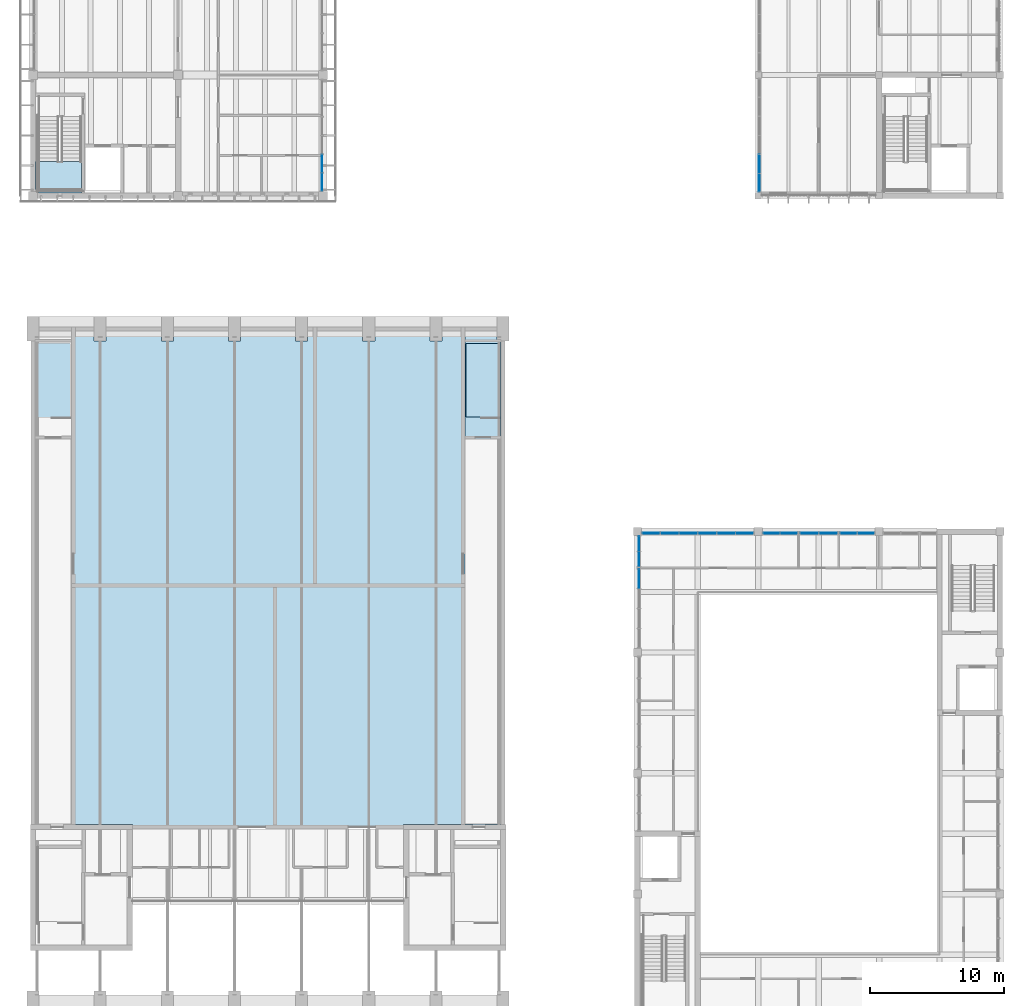
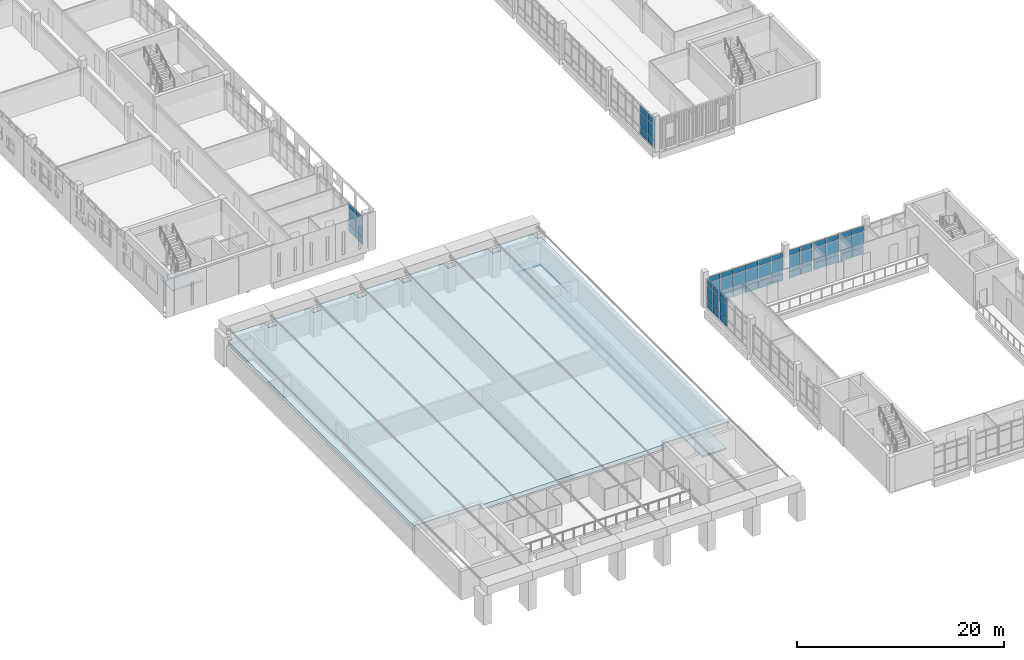
# One storey, part 36 of 92: 57 plates, 3 slabs, 9 elements without a shape of their own.
"""IFC4 building model written with IfcOpenShell, lengths in metres."""

import ifcopenshell
import ifcopenshell.guid

model = None  # the IFC model being written
_history = None  # IfcOwnerHistory: only IFC2X3 demands one
_inside = {}  # id of a spatial element -> (the spatial element, [elements in it])
_under = {}  # id of a project, library or spatial element -> (it, [spatial elements below it])
_declared = {}  # id of a project -> (the project, [libraries it declares])
_typed = {}  # id of a type object -> (the type object, [elements of that type])
_made_of = {}  # id of a material, layer set ... -> (it, [elements and type objects made of it])


def new_model(schema):
    """Start an empty IFC model of exactly this schema.

    Asked for "IFC4X3", IfcOpenShell would pick the latest addendum, in which some entities
    have other attributes; the version numbers below select the first issue.
    IFC2X3 requires an IfcOwnerHistory on every rooted entity: one is made here for all.
    """
    global model, _history
    if schema == "IFC4X3":
        model = ifcopenshell.file(schema_version=(4, 3, 0, 0))
    else:
        model = ifcopenshell.file(schema=schema)
    _inside.clear()
    _under.clear()
    _declared.clear()
    _typed.clear()
    _made_of.clear()
    _history = None
    if model.schema == "IFC2X3":
        org = make("IfcOrganization", Name="unknown")
        user = make(
            "IfcPersonAndOrganization",
            ThePerson=make("IfcPerson", FamilyName="unknown"),
            TheOrganization=org,
        )
        app = make(
            "IfcApplication",
            ApplicationDeveloper=org,
            Version="unknown",
            ApplicationFullName="unknown",
            ApplicationIdentifier="unknown",
        )
        _history = make(
            "IfcOwnerHistory",
            OwningUser=user,
            OwningApplication=app,
            ChangeAction="ADDED",
            CreationDate=0,
        )
    return model


def make(cls, **values):
    """One entity of the class cls with the attributes given. An attribute that is None is left unset."""
    return model.create_entity(
        cls, **{name: value for name, value in values.items() if value is not None}
    )


def rooted(cls, **values):
    """An entity with a GlobalId (a new one), such as an element, a storey or a relation."""
    return make(cls, GlobalId=ifcopenshell.guid.new(), OwnerHistory=_history, **values)


def si_unit(unit_type, name, prefix=None):
    """IfcSIUnit, for example si_unit("LENGTHUNIT", "METRE", prefix="MILLI")."""
    return make("IfcSIUnit", UnitType=unit_type, Prefix=prefix, Name=name)


def assignment(units):
    """IfcUnitAssignment: the units of a project."""
    return None if units is None else make("IfcUnitAssignment", Units=units)


def point(xyz):
    """IfcCartesianPoint."""
    return None if xyz is None else make("IfcCartesianPoint", Coordinates=xyz)


def direction(xyz):
    """IfcDirection."""
    return None if xyz is None else make("IfcDirection", DirectionRatios=xyz)


def frame(location, z_axis=None, x_axis=None):
    """IfcAxis2Placement3D, a coordinate frame: its origin and axes. An axis left out is left unset."""
    return make(
        "IfcAxis2Placement3D",
        Location=point(location),
        Axis=direction(z_axis),
        RefDirection=direction(x_axis),
    )


def frame_2d(location, x_axis=None):
    """IfcAxis2Placement2D, a coordinate frame in the plane: its origin and x axis."""
    return make(
        "IfcAxis2Placement2D", Location=point(location), RefDirection=direction(x_axis)
    )


def origin():
    """The frame at (0, 0, 0) with its axes left unset."""
    return frame((0.0, 0.0, 0.0))


def origin_2d():
    """The frame at (0, 0) in the plane with its x axis left unset."""
    return frame_2d((0.0, 0.0))


def place(relative_to, where):
    """IfcLocalPlacement: puts the frame where relative to a parent placement (None: the world)."""
    return make(
        "IfcLocalPlacement", PlacementRelTo=relative_to, RelativePlacement=where
    )


def context(
    kind, dimensions, precision=None, world=None, true_north=None, identifier=None
):
    """IfcGeometricRepresentationContext, for example the 3D "Model" context."""
    return make(
        "IfcGeometricRepresentationContext",
        ContextIdentifier=identifier,
        ContextType=kind,
        CoordinateSpaceDimension=dimensions,
        Precision=precision,
        WorldCoordinateSystem=world,
        TrueNorth=true_north,
    )


def subcontext(parent, identifier, kind, view, scale=None):
    """IfcGeometricRepresentationSubContext, for example "Body" below "Model"."""
    return make(
        "IfcGeometricRepresentationSubContext",
        ContextIdentifier=identifier,
        ContextType=kind,
        ParentContext=parent,
        TargetScale=scale,
        TargetView=view,
    )


def project(units=None, contexts=None):
    """IfcProject with its units and contexts."""
    return rooted(
        "IfcProject",
        Name="project",
        RepresentationContexts=contexts,
        UnitsInContext=assignment(units),
    )


def spatial(cls, under=None, at=None, **own):
    """A site, building, storey or space (cls), placed at a placement, below another one or the project."""
    s = rooted(cls, ObjectPlacement=at, **own)
    if under is not None:
        _under.setdefault(under.id(), (under, []))[1].append(s)
    return s


def polyline(points):
    """IfcPolyline through the points."""
    return make("IfcPolyline", Points=[point(p) for p in points])


def profile(cls, at=None, kind="AREA", **sizes):
    """A parametric profile (cls). Its sizes go by their IFC names, for example OverallWidth=200.0."""
    return make(cls, ProfileType=kind, Position=at, **sizes)


def rectangle(**sizes):
    """IfcRectangleProfileDef."""
    return profile("IfcRectangleProfileDef", **sizes)


def outline(outer, holes=None, kind="AREA"):
    """IfcArbitraryClosedProfileDef: a profile drawn as a closed curve; with holes, ...WithVoids."""
    if holes is None:
        return make("IfcArbitraryClosedProfileDef", ProfileType=kind, OuterCurve=outer)
    return make(
        "IfcArbitraryProfileDefWithVoids",
        ProfileType=kind,
        OuterCurve=outer,
        InnerCurves=holes,
    )


def extrude(swept, where, along, depth):
    """IfcExtrudedAreaSolid: the profile swept, set in the frame where, extruded along a direction by depth."""
    return make(
        "IfcExtrudedAreaSolid",
        SweptArea=swept,
        Position=where,
        ExtrudedDirection=direction(along),
        Depth=depth,
    )


def shape(context_of_items, identifier, shape_type, items):
    """IfcShapeRepresentation: the items that make up one representation, for example the "Body"."""
    return make(
        "IfcShapeRepresentation",
        ContextOfItems=context_of_items,
        RepresentationIdentifier=identifier,
        RepresentationType=shape_type,
        Items=items,
    )


def material(Name=None, Category=None):
    """IfcMaterial."""
    return make("IfcMaterial", Name=Name, Category=Category)


def layer(
    of_material, thickness, ventilated=None, Name=None, Category=None, Priority=None
):
    """IfcMaterialLayer: one layer of a wall or slab, of a material (None: an air gap)."""
    return make(
        "IfcMaterialLayer",
        Material=of_material,
        LayerThickness=thickness,
        IsVentilated=ventilated,
        Name=Name,
        Category=Category,
        Priority=Priority,
    )


def layer_set(layers, Name=None):
    """IfcMaterialLayerSet."""
    return make("IfcMaterialLayerSet", MaterialLayers=layers, LayerSetName=Name)


def made_of(thing, what):
    """Note that an element or type object is made of a material, layer set ...; save() writes the relation."""
    if what is not None:
        _made_of.setdefault(what.id(), (what, []))[1].append(thing)
    return thing


def type_object(cls, material=None, **own):
    """A type object (cls), such as IfcWallType, which elements share."""
    return made_of(rooted(cls, **own), material)


def element(
    cls,
    number,
    at=None,
    inside=None,
    cuts=None,
    type_object=None,
    material=None,
    context=None,
    identifier="Body",
    shape_type=None,
    held_by="IfcProductDefinitionShape",
    body=None,
    shapes=None,
    **own,
):
    """One element of the class cls, such as IfcWall. Its Tag is "e" and its number.

    at: its placement. inside: the storey or other place that contains it. cuts: it is an
    opening in that element (IfcRelVoidsElement). A single representation is given by context,
    identifier, shape_type and body (its items); several are given by shapes. held_by: the class
    of the entity that holds the representations. save() writes the other relations.
    """
    e = rooted(cls, Tag="e%d" % number, ObjectPlacement=at, **own)
    if body is not None:
        shapes = [shape(context, identifier, shape_type, body)]
    if shapes is not None:
        e.Representation = make(held_by, Representations=shapes)
    if inside is not None:
        _inside.setdefault(inside.id(), (inside, []))[1].append(e)
    if cuts is not None:
        rooted(
            "IfcRelVoidsElement", RelatingBuildingElement=cuts, RelatedOpeningElement=e
        )
    if type_object is not None:
        _typed.setdefault(type_object.id(), (type_object, []))[1].append(e)
    return made_of(e, material)


def aggregate(whole, parts):
    """IfcRelAggregates: a whole, such as a stair, and the parts it consists of."""
    return rooted("IfcRelAggregates", RelatingObject=whole, RelatedObjects=parts)


def save(model, path):
    """Write the relations noted so far, then the file.

    IfcRelAggregates (storeys below a building ...), IfcRelContainedInSpatialStructure (elements
    in a storey), IfcRelDefinesByType, IfcRelAssociatesMaterial and IfcRelDeclares: one each for
    every whole, place, type object, material and project.
    """
    for whole, parts in _under.values():
        aggregate(whole, parts)
    for where, things in _inside.values():
        rooted(
            "IfcRelContainedInSpatialStructure",
            RelatedElements=things,
            RelatingStructure=where,
        )
    for kind, things in _typed.values():
        rooted("IfcRelDefinesByType", RelatedObjects=things, RelatingType=kind)
    for what, things in _made_of.values():
        rooted("IfcRelAssociatesMaterial", RelatedObjects=things, RelatingMaterial=what)
    for by, libraries in _declared.values():
        rooted("IfcRelDeclares", RelatingContext=by, RelatedDefinitions=libraries)
    model.write(path)


model = new_model("IFC4")

# Units and contexts
model_context = context("Model", 3, precision=1e-05, world=origin(), true_north=direction((0.0, 1.0)))
body_context = subcontext(model_context, "Body", "Model", "MODEL_VIEW")
ifc_project = project(units=[si_unit("LENGTHUNIT", "METRE"), si_unit("AREAUNIT", "SQUARE_METRE"), si_unit("VOLUMEUNIT", "CUBIC_METRE"), si_unit("PLANEANGLEUNIT", "RADIAN"), si_unit("MASSUNIT", "GRAM", prefix="KILO")], contexts=[model_context])

# Site, building, storey
site_placement = place(None, origin())
site = spatial("IfcSite", under=ifc_project, at=site_placement, CompositionType="ELEMENT")
building_placement = place(site_placement, origin())
building = spatial("IfcBuilding", under=site, at=building_placement, Name="Merrow Basin Faculty of Sciences", CompositionType="ELEMENT")
storey_placement = place(building_placement, frame((0.0, 0.0, 4.5)))
storey = spatial("IfcBuildingStorey", under=building, at=storey_placement, Name="L01", CompositionType="ELEMENT", Elevation=4.5)

# Curtain wall, plates
ifc_material_1 = material(Name="Aluminium alloy 6063", Category="aluminium")
curtain_wall_type_1 = type_object("IfcCurtainWallType", Name="Atrium unitised curtain wall 240", PredefinedType="NOTDEFINED", material=ifc_material_1)
curtain_wall_1_placement = place(storey_placement, origin())
curtain_wall_1 = element("IfcCurtainWall", 1, at=curtain_wall_1_placement, inside=storey, type_object=curtain_wall_type_1, Name="W curtain wall L01 4", PredefinedType="NOTDEFINED")
ifc_material_2 = material(Name="Low-E double glazing", Category="glass")
ifc_layer_1 = layer(ifc_material_2, 0.031982421875)
ifc_layer_set_1 = layer_set([ifc_layer_1], Name="Acoustic double glazed panel 32")
plate_type_1 = type_object("IfcPlateType", Name="Acoustic double glazed panel 32", PredefinedType="CURTAIN_PANEL", material=ifc_layer_set_1)
plate_1_placement = place(storey_placement, frame((45.1201171875, 32.4912109375, 0.93017578125), z_axis=(0.0, 0.0, 1.0), x_axis=(0.0, 1.0, 0.0)))
plate_1 = element("IfcPlate", 2, at=plate_1_placement, type_object=plate_type_1, Name="CW5 panel 4.2", PredefinedType="CURTAIN_PANEL", context=body_context, shape_type="SweptSolid", body=[
    extrude(rectangle(XDim=1.3974609375, YDim=0.031982421875, at=origin_2d()), origin(), (0.0, 0.0, 1.0), 1.739990234375),
])
plate_2_placement = place(storey_placement, frame((45.1201171875, 32.4912109375, 2.72998046875), z_axis=(0.0, 0.0, 1.0), x_axis=(0.0, 1.0, 0.0)))
plate_2 = element("IfcPlate", 3, at=plate_2_placement, type_object=plate_type_1, Name="CW5 panel 4.3", PredefinedType="CURTAIN_PANEL", context=body_context, shape_type="SweptSolid", body=[
    extrude(rectangle(XDim=1.3974609375, YDim=0.031982421875, at=origin_2d()), origin(), (0.0, 0.0, 1.0), 0.610107421875),
])

curtain_wall_2_placement = place(storey_placement, origin())
curtain_wall_2 = element("IfcCurtainWall", 4, at=curtain_wall_2_placement, inside=storey, type_object=curtain_wall_type_1, Name="W curtain wall L01 5", PredefinedType="NOTDEFINED")
plate_3_placement = place(storey_placement, frame((45.1201171875, 33.952392578125, 0.93017578125), z_axis=(0.0, 0.0, 1.0), x_axis=(0.0, 1.0, 0.0)))
plate_3 = element("IfcPlate", 5, at=plate_3_placement, type_object=plate_type_1, Name="CW5 panel 1.2", PredefinedType="CURTAIN_PANEL", context=body_context, shape_type="SweptSolid", body=[
    extrude(rectangle(XDim=1.0849609375, YDim=0.031982421875, at=origin_2d()), origin(), (0.0, 0.0, 1.0), 1.739990234375),
])
plate_4_placement = place(storey_placement, frame((45.1201171875, 33.952392578125, 2.72998046875), z_axis=(0.0, 0.0, 1.0), x_axis=(0.0, 1.0, 0.0)))
plate_4 = element("IfcPlate", 6, at=plate_4_placement, type_object=plate_type_1, Name="CW5 panel 1.3", PredefinedType="CURTAIN_PANEL", context=body_context, shape_type="SweptSolid", body=[
    extrude(rectangle(XDim=1.0849609375, YDim=0.031982421875, at=origin_2d()), origin(), (0.0, 0.0, 1.0), 0.610107421875),
])
plate_5_placement = place(storey_placement, frame((45.1201171875, 35.097412109375, 0.93017578125), z_axis=(0.0, 0.0, 1.0), x_axis=(0.0, 1.0, 0.0)))
plate_5 = element("IfcPlate", 7, at=plate_5_placement, type_object=plate_type_1, Name="CW5 panel 2.2", PredefinedType="CURTAIN_PANEL", context=body_context, shape_type="SweptSolid", body=[
    extrude(rectangle(XDim=1.0849609375, YDim=0.031982421875, at=origin_2d()), origin(), (0.0, 0.0, 1.0), 1.739990234375),
])
plate_6_placement = place(storey_placement, frame((45.1201171875, 35.097412109375, 2.72998046875), z_axis=(0.0, 0.0, 1.0), x_axis=(0.0, 1.0, 0.0)))
plate_6 = element("IfcPlate", 8, at=plate_6_placement, type_object=plate_type_1, Name="CW5 panel 2.3", PredefinedType="CURTAIN_PANEL", context=body_context, shape_type="SweptSolid", body=[
    extrude(rectangle(XDim=1.0849609375, YDim=0.031982421875, at=origin_2d()), origin(), (0.0, 0.0, 1.0), 0.610107421875),
])

curtain_wall_3_placement = place(storey_placement, origin())
curtain_wall_3 = element("IfcCurtainWall", 9, at=curtain_wall_3_placement, inside=storey, type_object=curtain_wall_type_1, Name="N curtain wall L01 1", PredefinedType="NOTDEFINED")
plate_7_placement = place(storey_placement, frame((46.014892578125, 35.8798828125, 0.93017578125), z_axis=(0.0, 0.0, 1.0), x_axis=(1.0, 0.0, 0.0)))
plate_7 = element("IfcPlate", 10, at=plate_7_placement, type_object=plate_type_1, Name="CW5 panel 1.2", PredefinedType="CURTAIN_PANEL", context=body_context, shape_type="SweptSolid", body=[
    extrude(rectangle(XDim=1.31005859375, YDim=0.031982421875, at=origin_2d()), origin(), (0.0, 0.0, 1.0), 1.739990234375),
])
plate_8_placement = place(storey_placement, frame((46.014892578125, 35.8798828125, 2.72998046875), z_axis=(0.0, 0.0, 1.0), x_axis=(1.0, 0.0, 0.0)))
plate_8 = element("IfcPlate", 11, at=plate_8_placement, type_object=plate_type_1, Name="CW5 panel 1.3", PredefinedType="CURTAIN_PANEL", context=body_context, shape_type="SweptSolid", body=[
    extrude(rectangle(XDim=1.31005859375, YDim=0.031982421875, at=origin_2d()), origin(), (0.0, 0.0, 1.0), 0.610107421875),
])
plate_9_placement = place(storey_placement, frame((47.39990234375, 35.8798828125, 0.93017578125), z_axis=(0.0, 0.0, 1.0), x_axis=(1.0, 0.0, 0.0)))
plate_9 = element("IfcPlate", 12, at=plate_9_placement, type_object=plate_type_1, Name="CW5 panel 2.2", PredefinedType="CURTAIN_PANEL", context=body_context, shape_type="SweptSolid", body=[
    extrude(rectangle(XDim=1.340087890625, YDim=0.031982421875, at=origin_2d()), origin(), (0.0, 0.0, 1.0), 1.739990234375),
])
plate_10_placement = place(storey_placement, frame((47.39990234375, 35.8798828125, 2.72998046875), z_axis=(0.0, 0.0, 1.0), x_axis=(1.0, 0.0, 0.0)))
plate_10 = element("IfcPlate", 13, at=plate_10_placement, type_object=plate_type_1, Name="CW5 panel 2.3", PredefinedType="CURTAIN_PANEL", context=body_context, shape_type="SweptSolid", body=[
    extrude(rectangle(XDim=1.340087890625, YDim=0.031982421875, at=origin_2d()), origin(), (0.0, 0.0, 1.0), 0.610107421875),
])
plate_11_placement = place(storey_placement, frame((48.800048828125, 35.8798828125, 0.93017578125), z_axis=(0.0, 0.0, 1.0), x_axis=(1.0, 0.0, 0.0)))
plate_11 = element("IfcPlate", 14, at=plate_11_placement, type_object=plate_type_1, Name="CW5 panel 3.2", PredefinedType="CURTAIN_PANEL", context=body_context, shape_type="SweptSolid", body=[
    extrude(rectangle(XDim=1.340087890625, YDim=0.031982421875, at=origin_2d()), origin(), (0.0, 0.0, 1.0), 1.739990234375),
])
plate_12_placement = place(storey_placement, frame((48.800048828125, 35.8798828125, 2.72998046875), z_axis=(0.0, 0.0, 1.0), x_axis=(1.0, 0.0, 0.0)))
plate_12 = element("IfcPlate", 15, at=plate_12_placement, type_object=plate_type_1, Name="CW5 panel 3.3", PredefinedType="CURTAIN_PANEL", context=body_context, shape_type="SweptSolid", body=[
    extrude(rectangle(XDim=1.340087890625, YDim=0.031982421875, at=origin_2d()), origin(), (0.0, 0.0, 1.0), 0.610107421875),
])
plate_13_placement = place(storey_placement, frame((50.199951171875, 35.8798828125, 0.93017578125), z_axis=(0.0, 0.0, 1.0), x_axis=(1.0, 0.0, 0.0)))
plate_13 = element("IfcPlate", 16, at=plate_13_placement, type_object=plate_type_1, Name="CW5 panel 4.2", PredefinedType="CURTAIN_PANEL", context=body_context, shape_type="SweptSolid", body=[
    extrude(rectangle(XDim=1.340087890625, YDim=0.031982421875, at=origin_2d()), origin(), (0.0, 0.0, 1.0), 1.739990234375),
])
plate_14_placement = place(storey_placement, frame((50.199951171875, 35.8798828125, 2.72998046875), z_axis=(0.0, 0.0, 1.0), x_axis=(1.0, 0.0, 0.0)))
plate_14 = element("IfcPlate", 17, at=plate_14_placement, type_object=plate_type_1, Name="CW5 panel 4.3", PredefinedType="CURTAIN_PANEL", context=body_context, shape_type="SweptSolid", body=[
    extrude(rectangle(XDim=1.340087890625, YDim=0.031982421875, at=origin_2d()), origin(), (0.0, 0.0, 1.0), 0.610107421875),
])
plate_15_placement = place(storey_placement, frame((51.60009765625, 35.8798828125, 0.93017578125), z_axis=(0.0, 0.0, 1.0), x_axis=(1.0, 0.0, 0.0)))
plate_15 = element("IfcPlate", 18, at=plate_15_placement, type_object=plate_type_1, Name="CW5 panel 5.2", PredefinedType="CURTAIN_PANEL", context=body_context, shape_type="SweptSolid", body=[
    extrude(rectangle(XDim=1.340087890625, YDim=0.031982421875, at=origin_2d()), origin(), (0.0, 0.0, 1.0), 1.739990234375),
])
plate_16_placement = place(storey_placement, frame((51.60009765625, 35.8798828125, 2.72998046875), z_axis=(0.0, 0.0, 1.0), x_axis=(1.0, 0.0, 0.0)))
plate_16 = element("IfcPlate", 19, at=plate_16_placement, type_object=plate_type_1, Name="CW5 panel 5.3", PredefinedType="CURTAIN_PANEL", context=body_context, shape_type="SweptSolid", body=[
    extrude(rectangle(XDim=1.340087890625, YDim=0.031982421875, at=origin_2d()), origin(), (0.0, 0.0, 1.0), 0.610107421875),
])
plate_17_placement = place(storey_placement, frame((52.985107421875, 35.8798828125, 0.93017578125), z_axis=(0.0, 0.0, 1.0), x_axis=(1.0, 0.0, 0.0)))
plate_17 = element("IfcPlate", 20, at=plate_17_placement, type_object=plate_type_1, Name="CW5 panel 6.2", PredefinedType="CURTAIN_PANEL", context=body_context, shape_type="SweptSolid", body=[
    extrude(rectangle(XDim=1.31005859375, YDim=0.031982421875, at=origin_2d()), origin(), (0.0, 0.0, 1.0), 1.739990234375),
])
plate_18_placement = place(storey_placement, frame((52.985107421875, 35.8798828125, 2.72998046875), z_axis=(0.0, 0.0, 1.0), x_axis=(1.0, 0.0, 0.0)))
plate_18 = element("IfcPlate", 21, at=plate_18_placement, type_object=plate_type_1, Name="CW5 panel 6.3", PredefinedType="CURTAIN_PANEL", context=body_context, shape_type="SweptSolid", body=[
    extrude(rectangle(XDim=1.31005859375, YDim=0.031982421875, at=origin_2d()), origin(), (0.0, 0.0, 1.0), 0.610107421875),
])

curtain_wall_4_placement = place(storey_placement, origin())
curtain_wall_4 = element("IfcCurtainWall", 22, at=curtain_wall_4_placement, inside=storey, type_object=curtain_wall_type_1, Name="N curtain wall L01 2", PredefinedType="NOTDEFINED")
plate_19_placement = place(storey_placement, frame((54.9775390625, 35.8798828125, 0.93017578125), z_axis=(0.0, 0.0, 1.0), x_axis=(1.0, 0.0, 0.0)))
plate_19 = element("IfcPlate", 23, at=plate_19_placement, type_object=plate_type_1, Name="CW5 panel 1.2", PredefinedType="CURTAIN_PANEL", context=body_context, shape_type="SweptSolid", body=[
    extrude(rectangle(XDim=1.235107421875, YDim=0.031982421875, at=origin_2d()), origin(), (0.0, 0.0, 1.0), 1.739990234375),
])
plate_20_placement = place(storey_placement, frame((54.9775390625, 35.8798828125, 2.72998046875), z_axis=(0.0, 0.0, 1.0), x_axis=(1.0, 0.0, 0.0)))
plate_20 = element("IfcPlate", 24, at=plate_20_placement, type_object=plate_type_1, Name="CW5 panel 1.3", PredefinedType="CURTAIN_PANEL", context=body_context, shape_type="SweptSolid", body=[
    extrude(rectangle(XDim=1.235107421875, YDim=0.031982421875, at=origin_2d()), origin(), (0.0, 0.0, 1.0), 0.610107421875),
])
plate_21_placement = place(storey_placement, frame((56.2724609375, 35.8798828125, 0.93017578125), z_axis=(0.0, 0.0, 1.0), x_axis=(1.0, 0.0, 0.0)))
plate_21 = element("IfcPlate", 25, at=plate_21_placement, type_object=plate_type_1, Name="CW5 panel 2.2", PredefinedType="CURTAIN_PANEL", context=body_context, shape_type="SweptSolid", body=[
    extrude(rectangle(XDim=1.235107421875, YDim=0.031982421875, at=origin_2d()), origin(), (0.0, 0.0, 1.0), 1.739990234375),
])
plate_22_placement = place(storey_placement, frame((56.2724609375, 35.8798828125, 2.72998046875), z_axis=(0.0, 0.0, 1.0), x_axis=(1.0, 0.0, 0.0)))
plate_22 = element("IfcPlate", 26, at=plate_22_placement, type_object=plate_type_1, Name="CW5 panel 2.3", PredefinedType="CURTAIN_PANEL", context=body_context, shape_type="SweptSolid", body=[
    extrude(rectangle(XDim=1.235107421875, YDim=0.031982421875, at=origin_2d()), origin(), (0.0, 0.0, 1.0), 0.610107421875),
])

curtain_wall_5_placement = place(storey_placement, origin())
curtain_wall_5 = element("IfcCurtainWall", 27, at=curtain_wall_5_placement, inside=storey, type_object=curtain_wall_type_1, Name="N curtain wall L01 3", PredefinedType="NOTDEFINED")
plate_23_placement = place(storey_placement, frame((57.7900390625, 35.8798828125, 0.93017578125), z_axis=(0.0, 0.0, 1.0), x_axis=(1.0, 0.0, 0.0)))
plate_23 = element("IfcPlate", 28, at=plate_23_placement, type_object=plate_type_1, Name="CW5 panel 1.2", PredefinedType="CURTAIN_PANEL", context=body_context, shape_type="SweptSolid", body=[
    extrude(rectangle(XDim=1.360107421875, YDim=0.031982421875, at=origin_2d()), origin(), (0.0, 0.0, 1.0), 1.739990234375),
])
plate_24_placement = place(storey_placement, frame((57.7900390625, 35.8798828125, 2.72998046875), z_axis=(0.0, 0.0, 1.0), x_axis=(1.0, 0.0, 0.0)))
plate_24 = element("IfcPlate", 29, at=plate_24_placement, type_object=plate_type_1, Name="CW5 panel 1.3", PredefinedType="CURTAIN_PANEL", context=body_context, shape_type="SweptSolid", body=[
    extrude(rectangle(XDim=1.360107421875, YDim=0.031982421875, at=origin_2d()), origin(), (0.0, 0.0, 1.0), 0.610107421875),
])
plate_25_placement = place(storey_placement, frame((59.2099609375, 35.8798828125, 0.93017578125), z_axis=(0.0, 0.0, 1.0), x_axis=(1.0, 0.0, 0.0)))
plate_25 = element("IfcPlate", 30, at=plate_25_placement, type_object=plate_type_1, Name="CW5 panel 2.2", PredefinedType="CURTAIN_PANEL", context=body_context, shape_type="SweptSolid", body=[
    extrude(rectangle(XDim=1.360107421875, YDim=0.031982421875, at=origin_2d()), origin(), (0.0, 0.0, 1.0), 1.739990234375),
])
plate_26_placement = place(storey_placement, frame((59.2099609375, 35.8798828125, 2.72998046875), z_axis=(0.0, 0.0, 1.0), x_axis=(1.0, 0.0, 0.0)))
plate_26 = element("IfcPlate", 31, at=plate_26_placement, type_object=plate_type_1, Name="CW5 panel 2.3", PredefinedType="CURTAIN_PANEL", context=body_context, shape_type="SweptSolid", body=[
    extrude(rectangle(XDim=1.360107421875, YDim=0.031982421875, at=origin_2d()), origin(), (0.0, 0.0, 1.0), 0.610107421875),
])

curtain_wall_6_placement = place(storey_placement, origin())
curtain_wall_6 = element("IfcCurtainWall", 32, at=curtain_wall_6_placement, inside=storey, type_object=curtain_wall_type_1, Name="N curtain wall L01 4", PredefinedType="NOTDEFINED")
plate_27_placement = place(storey_placement, frame((60.7275390625, 35.8798828125, 0.93017578125), z_axis=(0.0, 0.0, 1.0), x_axis=(1.0, 0.0, 0.0)))
plate_27 = element("IfcPlate", 33, at=plate_27_placement, type_object=plate_type_1, Name="CW5 panel 1.2", PredefinedType="CURTAIN_PANEL", context=body_context, shape_type="SweptSolid", body=[
    extrude(rectangle(XDim=1.235107421875, YDim=0.031982421875, at=origin_2d()), origin(), (0.0, 0.0, 1.0), 1.739990234375),
])
plate_28_placement = place(storey_placement, frame((60.7275390625, 35.8798828125, 2.72998046875), z_axis=(0.0, 0.0, 1.0), x_axis=(1.0, 0.0, 0.0)))
plate_28 = element("IfcPlate", 34, at=plate_28_placement, type_object=plate_type_1, Name="CW5 panel 1.3", PredefinedType="CURTAIN_PANEL", context=body_context, shape_type="SweptSolid", body=[
    extrude(rectangle(XDim=1.235107421875, YDim=0.031982421875, at=origin_2d()), origin(), (0.0, 0.0, 1.0), 0.610107421875),
])
plate_29_placement = place(storey_placement, frame((62.0224609375, 35.8798828125, 0.93017578125), z_axis=(0.0, 0.0, 1.0), x_axis=(1.0, 0.0, 0.0)))
plate_29 = element("IfcPlate", 35, at=plate_29_placement, type_object=plate_type_1, Name="CW5 panel 2.2", PredefinedType="CURTAIN_PANEL", context=body_context, shape_type="SweptSolid", body=[
    extrude(rectangle(XDim=1.235107421875, YDim=0.031982421875, at=origin_2d()), origin(), (0.0, 0.0, 1.0), 1.739990234375),
])
plate_30_placement = place(storey_placement, frame((62.0224609375, 35.8798828125, 2.72998046875), z_axis=(0.0, 0.0, 1.0), x_axis=(1.0, 0.0, 0.0)))
plate_30 = element("IfcPlate", 36, at=plate_30_placement, type_object=plate_type_1, Name="CW5 panel 2.3", PredefinedType="CURTAIN_PANEL", context=body_context, shape_type="SweptSolid", body=[
    extrude(rectangle(XDim=1.235107421875, YDim=0.031982421875, at=origin_2d()), origin(), (0.0, 0.0, 1.0), 0.610107421875),
])

# Slab
ifc_material_3 = material(Name="Concrete C40/50", Category="concrete")
ifc_layer_2 = layer(ifc_material_3, 0.179931640625)
ifc_layer_set_2 = layer_set([ifc_layer_2], Name="Gallery floor slab 180 Concrete C40/50")
slab_type_1 = type_object("IfcSlabType", Name="Gallery floor slab 180 Concrete C40/50", PredefinedType="FLOOR", material=ifc_layer_set_2)
slab_1_placement = place(storey_placement, frame((0.0, 0.0, -0.179931640625)))
element("IfcSlab", 37, at=slab_1_placement, inside=storey, type_object=slab_type_1, Name="SL4 floor L01 002", PredefinedType="FLOOR", context=body_context, shape_type="SweptSolid", body=[
    extrude(outline(polyline([(32.14990234375, 50.949951171875), (34.550048828125, 50.949951171875), (34.550048828125, 50.199951171875), (34.85009765625, 50.199951171875), (34.85009765625, 14.199951171875), (32.14990234375, 14.199951171875), (32.14990234375, 31.85009765625), (32.14990234375, 32.14990234375), (32.14990234375, 50.949951171875)]), holes=[polyline([(34.75, 44.550048828125), (34.75, 50.0), (32.25, 50.0), (32.25, 44.550048828125), (34.75, 44.550048828125)])]), origin(), (0.0, 0.0, 1.0), 0.179931640625),
])

# Curtain wall, plates
ifc_material_4 = material(Name="Aluminium alloy 6063", Category="aluminium")
curtain_wall_type_2 = type_object("IfcCurtainWallType", Name="Bar unitised curtain wall 180", PredefinedType="NOTDEFINED", material=ifc_material_4)
curtain_wall_7_placement = place(storey_placement, origin())
curtain_wall_7 = element("IfcCurtainWall", 38, at=curtain_wall_7_placement, inside=storey, type_object=curtain_wall_type_2, Name="East curtain wall L01 1", PredefinedType="NOTDEFINED")
ifc_material_5 = material(Name="Insulated aluminium spandrel panel", Category="aluminium")
ifc_layer_3 = layer(ifc_material_5, 0.052001953125)
ifc_layer_set_3 = layer_set([ifc_layer_3], Name="Insulated spandrel panel 52")
plate_type_2 = type_object("IfcPlateType", Name="Insulated spandrel panel 52", PredefinedType="CURTAIN_PANEL", material=ifc_layer_set_3)
plate_31_placement = place(storey_placement, frame((21.510009765625, 62.035888671875, 0.06005859375), z_axis=(0.0, 0.0, 1.0), x_axis=(0.0, 1.0, 0.0)))
plate_31 = element("IfcPlate", 39, at=plate_31_placement, type_object=plate_type_2, Name="CW1 panel 1.1", PredefinedType="CURTAIN_PANEL", context=body_context, shape_type="SweptSolid", body=[
    extrude(rectangle(XDim=1.3017578125, YDim=0.052001953125, at=origin_2d()), origin(), (0.0, 0.0, 1.0), 0.81005859375),
])
plate_32_placement = place(storey_placement, frame((21.510009765625, 63.41259765625, 0.06005859375), z_axis=(0.0, 0.0, 1.0), x_axis=(0.0, 1.0, 0.0)))
plate_32 = element("IfcPlate", 40, at=plate_32_placement, type_object=plate_type_2, Name="CW1 panel 2.1", PredefinedType="CURTAIN_PANEL", context=body_context, shape_type="SweptSolid", body=[
    extrude(rectangle(XDim=1.331787109375, YDim=0.052001953125, at=origin_2d()), origin(), (0.0, 0.0, 1.0), 0.81005859375),
])

# Plate
plate_33_placement = place(storey_placement, frame((45.1201171875, 32.4912109375, 0.06005859375), z_axis=(0.0, 0.0, 1.0), x_axis=(0.0, 1.0, 0.0)))
plate_33 = element("IfcPlate", 41, at=plate_33_placement, type_object=plate_type_2, Name="CW5 panel 4.1", PredefinedType="CURTAIN_PANEL", context=body_context, shape_type="SweptSolid", body=[
    extrude(rectangle(XDim=1.3974609375, YDim=0.052001953125, at=origin_2d()), origin(), (0.0, 0.0, 1.0), 0.81005859375),
])

aggregate(curtain_wall_1, [plate_33, plate_1, plate_2])

plate_34_placement = place(storey_placement, frame((45.1201171875, 33.952392578125, 0.06005859375), z_axis=(0.0, 0.0, 1.0), x_axis=(0.0, 1.0, 0.0)))
plate_34 = element("IfcPlate", 42, at=plate_34_placement, type_object=plate_type_2, Name="CW5 panel 1.1", PredefinedType="CURTAIN_PANEL", context=body_context, shape_type="SweptSolid", body=[
    extrude(rectangle(XDim=1.0849609375, YDim=0.052001953125, at=origin_2d()), origin(), (0.0, 0.0, 1.0), 0.81005859375),
])

plate_35_placement = place(storey_placement, frame((45.1201171875, 35.097412109375, 0.06005859375), z_axis=(0.0, 0.0, 1.0), x_axis=(0.0, 1.0, 0.0)))
plate_35 = element("IfcPlate", 43, at=plate_35_placement, type_object=plate_type_2, Name="CW5 panel 2.1", PredefinedType="CURTAIN_PANEL", context=body_context, shape_type="SweptSolid", body=[
    extrude(rectangle(XDim=1.0849609375, YDim=0.052001953125, at=origin_2d()), origin(), (0.0, 0.0, 1.0), 0.81005859375),
])

aggregate(curtain_wall_2, [plate_34, plate_3, plate_4, plate_35, plate_5, plate_6])

plate_36_placement = place(storey_placement, frame((46.014892578125, 35.8798828125, 0.06005859375), z_axis=(0.0, 0.0, 1.0), x_axis=(1.0, 0.0, 0.0)))
plate_36 = element("IfcPlate", 44, at=plate_36_placement, type_object=plate_type_2, Name="CW5 panel 1.1", PredefinedType="CURTAIN_PANEL", context=body_context, shape_type="SweptSolid", body=[
    extrude(rectangle(XDim=1.31005859375, YDim=0.052001953125, at=origin_2d()), origin(), (0.0, 0.0, 1.0), 0.81005859375),
])

plate_37_placement = place(storey_placement, frame((47.39990234375, 35.8798828125, 0.06005859375), z_axis=(0.0, 0.0, 1.0), x_axis=(1.0, 0.0, 0.0)))
plate_37 = element("IfcPlate", 45, at=plate_37_placement, type_object=plate_type_2, Name="CW5 panel 2.1", PredefinedType="CURTAIN_PANEL", context=body_context, shape_type="SweptSolid", body=[
    extrude(rectangle(XDim=1.340087890625, YDim=0.052001953125, at=origin_2d()), origin(), (0.0, 0.0, 1.0), 0.81005859375),
])

plate_38_placement = place(storey_placement, frame((48.800048828125, 35.8798828125, 0.06005859375), z_axis=(0.0, 0.0, 1.0), x_axis=(1.0, 0.0, 0.0)))
plate_38 = element("IfcPlate", 46, at=plate_38_placement, type_object=plate_type_2, Name="CW5 panel 3.1", PredefinedType="CURTAIN_PANEL", context=body_context, shape_type="SweptSolid", body=[
    extrude(rectangle(XDim=1.340087890625, YDim=0.052001953125, at=origin_2d()), origin(), (0.0, 0.0, 1.0), 0.81005859375),
])

plate_39_placement = place(storey_placement, frame((50.199951171875, 35.8798828125, 0.06005859375), z_axis=(0.0, 0.0, 1.0), x_axis=(1.0, 0.0, 0.0)))
plate_39 = element("IfcPlate", 47, at=plate_39_placement, type_object=plate_type_2, Name="CW5 panel 4.1", PredefinedType="CURTAIN_PANEL", context=body_context, shape_type="SweptSolid", body=[
    extrude(rectangle(XDim=1.340087890625, YDim=0.052001953125, at=origin_2d()), origin(), (0.0, 0.0, 1.0), 0.81005859375),
])

plate_40_placement = place(storey_placement, frame((51.60009765625, 35.8798828125, 0.06005859375), z_axis=(0.0, 0.0, 1.0), x_axis=(1.0, 0.0, 0.0)))
plate_40 = element("IfcPlate", 48, at=plate_40_placement, type_object=plate_type_2, Name="CW5 panel 5.1", PredefinedType="CURTAIN_PANEL", context=body_context, shape_type="SweptSolid", body=[
    extrude(rectangle(XDim=1.340087890625, YDim=0.052001953125, at=origin_2d()), origin(), (0.0, 0.0, 1.0), 0.81005859375),
])

plate_41_placement = place(storey_placement, frame((52.985107421875, 35.8798828125, 0.06005859375), z_axis=(0.0, 0.0, 1.0), x_axis=(1.0, 0.0, 0.0)))
plate_41 = element("IfcPlate", 49, at=plate_41_placement, type_object=plate_type_2, Name="CW5 panel 6.1", PredefinedType="CURTAIN_PANEL", context=body_context, shape_type="SweptSolid", body=[
    extrude(rectangle(XDim=1.31005859375, YDim=0.052001953125, at=origin_2d()), origin(), (0.0, 0.0, 1.0), 0.81005859375),
])

aggregate(curtain_wall_3, [plate_36, plate_7, plate_8, plate_37, plate_9, plate_10, plate_38, plate_11, plate_12, plate_39, plate_13, plate_14, plate_40, plate_15, plate_16, plate_41, plate_17, plate_18])

plate_42_placement = place(storey_placement, frame((54.9775390625, 35.8798828125, 0.06005859375), z_axis=(0.0, 0.0, 1.0), x_axis=(1.0, 0.0, 0.0)))
plate_42 = element("IfcPlate", 50, at=plate_42_placement, type_object=plate_type_2, Name="CW5 panel 1.1", PredefinedType="CURTAIN_PANEL", context=body_context, shape_type="SweptSolid", body=[
    extrude(rectangle(XDim=1.235107421875, YDim=0.052001953125, at=origin_2d()), origin(), (0.0, 0.0, 1.0), 0.81005859375),
])

plate_43_placement = place(storey_placement, frame((56.2724609375, 35.8798828125, 0.06005859375), z_axis=(0.0, 0.0, 1.0), x_axis=(1.0, 0.0, 0.0)))
plate_43 = element("IfcPlate", 51, at=plate_43_placement, type_object=plate_type_2, Name="CW5 panel 2.1", PredefinedType="CURTAIN_PANEL", context=body_context, shape_type="SweptSolid", body=[
    extrude(rectangle(XDim=1.235107421875, YDim=0.052001953125, at=origin_2d()), origin(), (0.0, 0.0, 1.0), 0.81005859375),
])

aggregate(curtain_wall_4, [plate_42, plate_19, plate_20, plate_43, plate_21, plate_22])

plate_44_placement = place(storey_placement, frame((57.7900390625, 35.8798828125, 0.06005859375), z_axis=(0.0, 0.0, 1.0), x_axis=(1.0, 0.0, 0.0)))
plate_44 = element("IfcPlate", 52, at=plate_44_placement, type_object=plate_type_2, Name="CW5 panel 1.1", PredefinedType="CURTAIN_PANEL", context=body_context, shape_type="SweptSolid", body=[
    extrude(rectangle(XDim=1.360107421875, YDim=0.052001953125, at=origin_2d()), origin(), (0.0, 0.0, 1.0), 0.81005859375),
])

plate_45_placement = place(storey_placement, frame((59.2099609375, 35.8798828125, 0.06005859375), z_axis=(0.0, 0.0, 1.0), x_axis=(1.0, 0.0, 0.0)))
plate_45 = element("IfcPlate", 53, at=plate_45_placement, type_object=plate_type_2, Name="CW5 panel 2.1", PredefinedType="CURTAIN_PANEL", context=body_context, shape_type="SweptSolid", body=[
    extrude(rectangle(XDim=1.360107421875, YDim=0.052001953125, at=origin_2d()), origin(), (0.0, 0.0, 1.0), 0.81005859375),
])

aggregate(curtain_wall_5, [plate_44, plate_23, plate_24, plate_45, plate_25, plate_26])

plate_46_placement = place(storey_placement, frame((60.7275390625, 35.8798828125, 0.06005859375), z_axis=(0.0, 0.0, 1.0), x_axis=(1.0, 0.0, 0.0)))
plate_46 = element("IfcPlate", 54, at=plate_46_placement, type_object=plate_type_2, Name="CW5 panel 1.1", PredefinedType="CURTAIN_PANEL", context=body_context, shape_type="SweptSolid", body=[
    extrude(rectangle(XDim=1.235107421875, YDim=0.052001953125, at=origin_2d()), origin(), (0.0, 0.0, 1.0), 0.81005859375),
])

plate_47_placement = place(storey_placement, frame((62.0224609375, 35.8798828125, 0.06005859375), z_axis=(0.0, 0.0, 1.0), x_axis=(1.0, 0.0, 0.0)))
plate_47 = element("IfcPlate", 55, at=plate_47_placement, type_object=plate_type_2, Name="CW5 panel 2.1", PredefinedType="CURTAIN_PANEL", context=body_context, shape_type="SweptSolid", body=[
    extrude(rectangle(XDim=1.235107421875, YDim=0.052001953125, at=origin_2d()), origin(), (0.0, 0.0, 1.0), 0.81005859375),
])

aggregate(curtain_wall_6, [plate_46, plate_27, plate_28, plate_47, plate_29, plate_30])

# Curtain wall, plates
ifc_material_6 = material(Name="Aluminium alloy 6063", Category="aluminium")
curtain_wall_type_3 = type_object("IfcCurtainWallType", Name="Court curtain wall 140", PredefinedType="NOTDEFINED", material=ifc_material_6)
curtain_wall_8_placement = place(storey_placement, origin())
curtain_wall_8 = element("IfcCurtainWall", 56, at=curtain_wall_8_placement, inside=storey, type_object=curtain_wall_type_3, Name="Court curtain wall L01 1", PredefinedType="NOTDEFINED")
plate_48_placement = place(storey_placement, frame((54.070068359375, 61.973388671875, 0.06005859375), z_axis=(0.0, 0.0, 1.0), x_axis=(0.0, 1.0, 0.0)))
plate_48 = element("IfcPlate", 57, at=plate_48_placement, type_object=plate_type_2, Name="CW8 panel 1.1", PredefinedType="CURTAIN_PANEL", context=body_context, shape_type="SweptSolid", body=[
    extrude(rectangle(XDim=1.32666015625, YDim=0.052001953125, at=origin_2d()), origin(), (0.0, 0.0, 1.0), 0.81005859375),
])
plate_49_placement = place(storey_placement, frame((54.070068359375, 63.375, 0.06005859375), z_axis=(0.0, 0.0, 1.0), x_axis=(0.0, 1.0, 0.0)))
plate_49 = element("IfcPlate", 58, at=plate_49_placement, type_object=plate_type_2, Name="CW8 panel 2.1", PredefinedType="CURTAIN_PANEL", context=body_context, shape_type="SweptSolid", body=[
    extrude(rectangle(XDim=1.356689453125, YDim=0.052001953125, at=origin_2d()), origin(), (0.0, 0.0, 1.0), 0.81005859375),
])

# Plate
ifc_material_7 = material(Name="Low-E double glazing", Category="glass")
ifc_layer_4 = layer(ifc_material_7, 0.028076171875)
ifc_layer_set_4 = layer_set([ifc_layer_4], Name="Low-E double glazed panel 28")
plate_type_3 = type_object("IfcPlateType", Name="Low-E double glazed panel 28", PredefinedType="CURTAIN_PANEL", material=ifc_layer_set_4)
plate_50_placement = place(storey_placement, frame((21.510009765625, 62.035888671875, 0.93017578125), z_axis=(0.0, 0.0, 1.0), x_axis=(0.0, 1.0, 0.0)))
plate_50 = element("IfcPlate", 59, at=plate_50_placement, type_object=plate_type_3, Name="CW1 panel 1.2", PredefinedType="CURTAIN_PANEL", context=body_context, shape_type="SweptSolid", body=[
    extrude(rectangle(XDim=1.3017578125, YDim=0.028076171875, at=origin_2d()), origin(), (0.0, 0.0, 1.0), 1.739990234375),
])

plate_51_placement = place(storey_placement, frame((21.510009765625, 62.035888671875, 2.72998046875), z_axis=(0.0, 0.0, 1.0), x_axis=(0.0, 1.0, 0.0)))
plate_51 = element("IfcPlate", 60, at=plate_51_placement, type_object=plate_type_3, Name="CW1 panel 1.3", PredefinedType="CURTAIN_PANEL", context=body_context, shape_type="SweptSolid", body=[
    extrude(rectangle(XDim=1.3017578125, YDim=0.028076171875, at=origin_2d()), origin(), (0.0, 0.0, 1.0), 0.610107421875),
])

plate_52_placement = place(storey_placement, frame((21.510009765625, 63.41259765625, 0.93017578125), z_axis=(0.0, 0.0, 1.0), x_axis=(0.0, 1.0, 0.0)))
plate_52 = element("IfcPlate", 61, at=plate_52_placement, type_object=plate_type_3, Name="CW1 panel 2.2", PredefinedType="CURTAIN_PANEL", context=body_context, shape_type="SweptSolid", body=[
    extrude(rectangle(XDim=1.331787109375, YDim=0.028076171875, at=origin_2d()), origin(), (0.0, 0.0, 1.0), 1.739990234375),
])

plate_53_placement = place(storey_placement, frame((21.510009765625, 63.41259765625, 2.72998046875), z_axis=(0.0, 0.0, 1.0), x_axis=(0.0, 1.0, 0.0)))
plate_53 = element("IfcPlate", 62, at=plate_53_placement, type_object=plate_type_3, Name="CW1 panel 2.3", PredefinedType="CURTAIN_PANEL", context=body_context, shape_type="SweptSolid", body=[
    extrude(rectangle(XDim=1.331787109375, YDim=0.028076171875, at=origin_2d()), origin(), (0.0, 0.0, 1.0), 0.610107421875),
])

aggregate(curtain_wall_7, [plate_31, plate_50, plate_51, plate_32, plate_52, plate_53])

plate_54_placement = place(storey_placement, frame((54.070068359375, 61.973388671875, 0.93017578125), z_axis=(0.0, 0.0, 1.0), x_axis=(0.0, 1.0, 0.0)))
plate_54 = element("IfcPlate", 63, at=plate_54_placement, type_object=plate_type_3, Name="CW8 panel 1.2", PredefinedType="CURTAIN_PANEL", context=body_context, shape_type="SweptSolid", body=[
    extrude(rectangle(XDim=1.32666015625, YDim=0.028076171875, at=origin_2d()), origin(), (0.0, 0.0, 1.0), 1.739990234375),
])

plate_55_placement = place(storey_placement, frame((54.070068359375, 61.973388671875, 2.72998046875), z_axis=(0.0, 0.0, 1.0), x_axis=(0.0, 1.0, 0.0)))
plate_55 = element("IfcPlate", 64, at=plate_55_placement, type_object=plate_type_3, Name="CW8 panel 1.3", PredefinedType="CURTAIN_PANEL", context=body_context, shape_type="SweptSolid", body=[
    extrude(rectangle(XDim=1.32666015625, YDim=0.028076171875, at=origin_2d()), origin(), (0.0, 0.0, 1.0), 0.760009765625),
])

plate_56_placement = place(storey_placement, frame((54.070068359375, 63.375, 0.93017578125), z_axis=(0.0, 0.0, 1.0), x_axis=(0.0, 1.0, 0.0)))
plate_56 = element("IfcPlate", 65, at=plate_56_placement, type_object=plate_type_3, Name="CW8 panel 2.2", PredefinedType="CURTAIN_PANEL", context=body_context, shape_type="SweptSolid", body=[
    extrude(rectangle(XDim=1.356689453125, YDim=0.028076171875, at=origin_2d()), origin(), (0.0, 0.0, 1.0), 1.739990234375),
])

plate_57_placement = place(storey_placement, frame((54.070068359375, 63.375, 2.72998046875), z_axis=(0.0, 0.0, 1.0), x_axis=(0.0, 1.0, 0.0)))
plate_57 = element("IfcPlate", 66, at=plate_57_placement, type_object=plate_type_3, Name="CW8 panel 2.3", PredefinedType="CURTAIN_PANEL", context=body_context, shape_type="SweptSolid", body=[
    extrude(rectangle(XDim=1.356689453125, YDim=0.028076171875, at=origin_2d()), origin(), (0.0, 0.0, 1.0), 0.760009765625),
])

aggregate(curtain_wall_8, [plate_48, plate_54, plate_55, plate_49, plate_56, plate_57])

# Slab
ifc_material_8 = material(Name="Concrete C40/50", Category="concrete")
ifc_layer_5 = layer(ifc_material_8, 0.550048828125)
ifc_layer_set_5 = layer_set([ifc_layer_5], Name="Roof slab 550 Concrete C40/50")
slab_type_2 = type_object("IfcSlabType", Name="Roof slab 550 Concrete C40/50", PredefinedType="ROOF", material=ifc_layer_set_5)
slab_2_placement = place(storey_placement, frame((0.0, 0.0, 2.449951171875)))
element("IfcSlab", 67, at=slab_2_placement, inside=storey, type_object=slab_type_2, Name="SL5 theatre roof L01 012", PredefinedType="ROOF", context=body_context, shape_type="SweptSolid", body=[
    extrude(outline(polyline([(27.60009765625, 14.199951171875), (27.60009765625, 14.0), (7.39990234375, 14.0), (7.39990234375, 14.199951171875), (0.0, 14.199951171875), (0.0, 50.199951171875), (0.449951171875, 50.199951171875), (0.449951171875, 51.10009765625), (4.550048828125, 51.10009765625), (4.550048828125, 50.199951171875), (5.449951171875, 50.199951171875), (5.449951171875, 51.10009765625), (9.550048828125, 51.10009765625), (9.550048828125, 50.199951171875), (10.449951171875, 50.199951171875), (10.449951171875, 51.10009765625), (14.550048828125, 51.10009765625), (14.550048828125, 50.199951171875), (15.449951171875, 50.199951171875), (15.449951171875, 51.10009765625), (19.550048828125, 51.10009765625), (19.550048828125, 50.199951171875), (20.449951171875, 50.199951171875), (20.449951171875, 51.10009765625), (24.550048828125, 51.10009765625), (24.550048828125, 50.199951171875), (25.449951171875, 50.199951171875), (25.449951171875, 51.10009765625), (29.550048828125, 51.10009765625), (29.550048828125, 50.199951171875), (30.449951171875, 50.199951171875), (30.449951171875, 51.10009765625), (34.550048828125, 51.10009765625), (34.550048828125, 50.199951171875), (35.0, 50.199951171875), (35.0, 14.199951171875), (27.60009765625, 14.199951171875)])), origin(), (0.0, 0.0, 1.0), 0.550048828125),
])

# Stair, slab
ifc_material_9 = material(Name="Concrete C40/50", Category="concrete")
stair_type = type_object("IfcStairType", Name="Concrete dog-leg stair Concrete C40/50", PredefinedType="HALF_TURN_STAIR", material=ifc_material_9)
stair_placement = place(storey_placement, origin())
stair = element("IfcStair", 68, at=stair_placement, inside=storey, type_object=stair_type, Name="L01 Exit stair S", PredefinedType="HALF_TURN_STAIR")
ifc_material_10 = material(Name="Concrete C40/50", Category="concrete")
ifc_layer_6 = layer(ifc_material_10, 0.199951171875)
ifc_layer_set_6 = layer_set([ifc_layer_6], Name="Stair landing 200 Concrete C40/50")
slab_type_3 = type_object("IfcSlabType", Name="Stair landing 200 Concrete C40/50", PredefinedType="LANDING", material=ifc_layer_set_6)
slab_3_placement = place(storey_placement, frame((0.0, 0.0, 2.050048828125)))
slab_3 = element("IfcSlab", 69, at=slab_3_placement, type_object=slab_type_3, Name="ST-V4-S landing 1", PredefinedType="LANDING", context=body_context, shape_type="SweptSolid", body=[
    extrude(outline(polyline([(0.199951171875, 61.199951171875), (3.60009765625, 61.199951171875), (3.60009765625, 63.5400390625), (0.199951171875, 63.5400390625), (0.199951171875, 61.199951171875)])), origin(), (0.0, 0.0, 1.0), 0.199951171875),
])
aggregate(stair, [slab_3])

save(model, "model.ifc")
